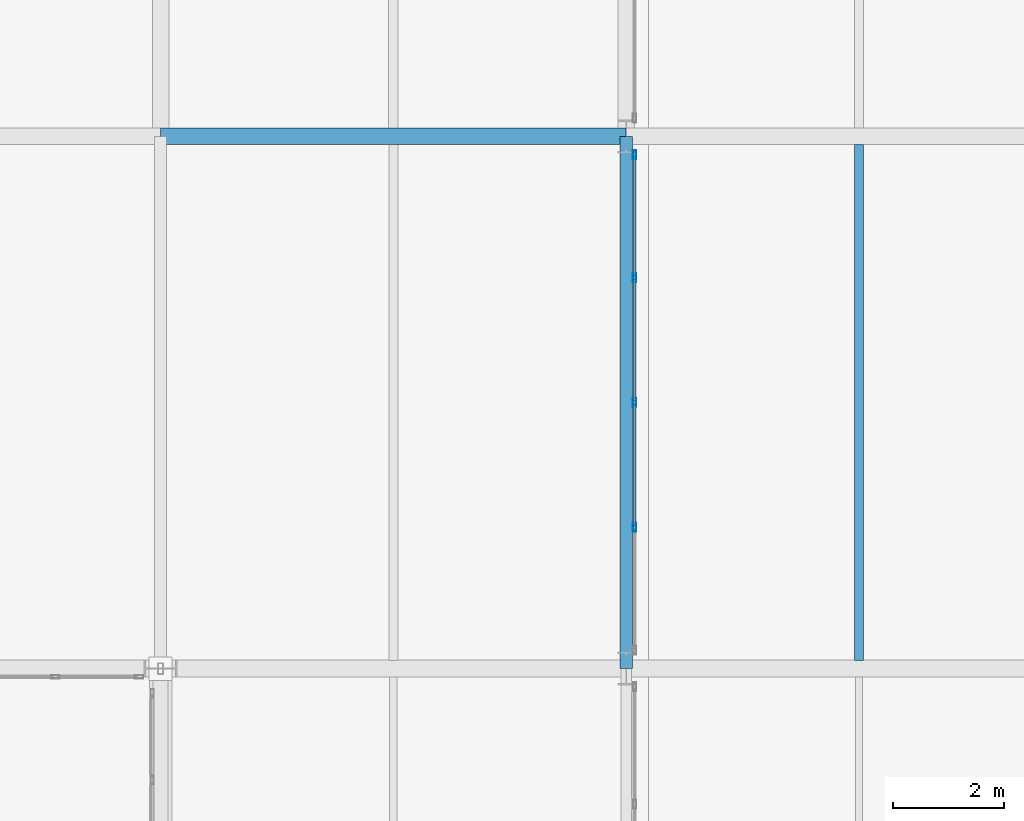
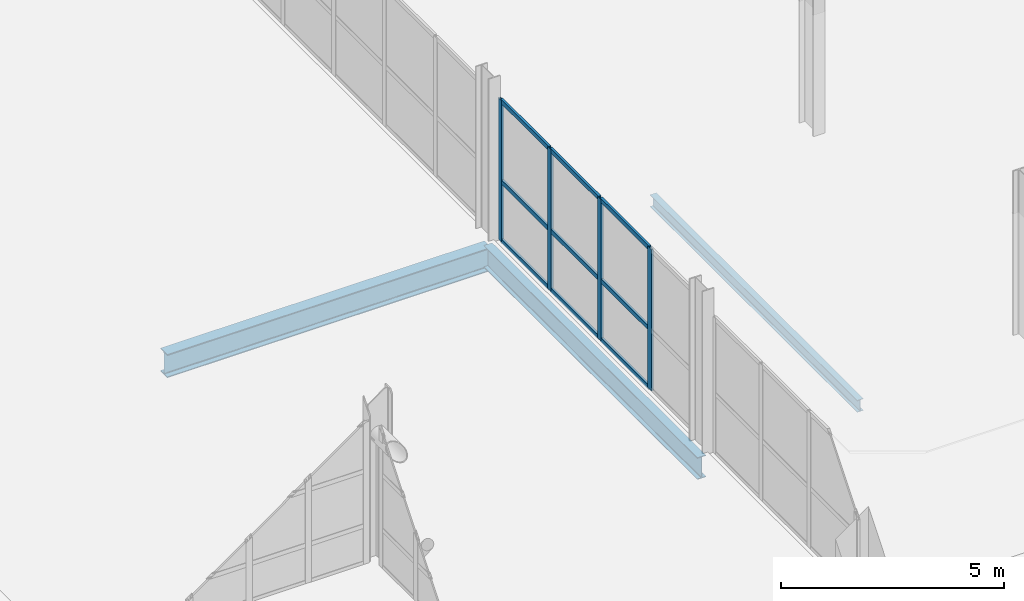
# One storey, part 38 of 130: 13 members, 3 beams, 1 element without a shape of its own.
"""IFC4 building model written with IfcOpenShell, lengths in metres."""

from ifc_helpers import new_model, si_unit, direction, frame, origin, origin_2d, place, context, subcontext, project, spatial, hollow_rectangle, i_section, extrude, material, material_profile, profile_set, type_object, element, aggregate, save


model = new_model("IFC4")

# Units and contexts
model_context = context("Model", 3, precision=1e-05, world=origin(), true_north=direction((0.0, 1.0)))
body_context = subcontext(model_context, "Body", "Model", "MODEL_VIEW")
ifc_project = project(units=[si_unit("LENGTHUNIT", "METRE"), si_unit("AREAUNIT", "SQUARE_METRE"), si_unit("VOLUMEUNIT", "CUBIC_METRE"), si_unit("PLANEANGLEUNIT", "RADIAN"), si_unit("MASSUNIT", "GRAM", prefix="KILO")], contexts=[model_context])

# Site, building, storey
site_placement = place(None, origin())
site = spatial("IfcSite", under=ifc_project, at=site_placement, CompositionType="ELEMENT")
building_placement = place(site_placement, origin())
building = spatial("IfcBuilding", under=site, at=building_placement, Name="Veltarok Museum of Natural Sciences", CompositionType="ELEMENT")
storey_placement = place(building_placement, frame((0.0, 0.0, 12.89990234375)))
storey = spatial("IfcBuildingStorey", under=building, at=storey_placement, Name="L02", CompositionType="ELEMENT", Elevation=12.89990234375)

# Curtain wall, members
ifc_material_1 = material(Name="Low-iron triple insulated glass", Category="glass")
curtain_wall_type = type_object("IfcCurtainWallType", Name="Curtain Wall System CW-V2W-L02-0-900x388 (CW-V2W L02 900x388cm)", PredefinedType="NOTDEFINED", material=ifc_material_1)
curtain_wall_placement = place(storey_placement, origin())
curtain_wall = element("IfcCurtainWall", 1, at=curtain_wall_placement, inside=storey, type_object=curtain_wall_type, Name="Curtain Wall CW-V2W-L02-0-900x388 CW-0140", PredefinedType="NOTDEFINED")
ifc_material_2 = material(Name="Thermally broken anodised aluminium", Category="aluminium")
ifc_material_profile_1 = material_profile(ifc_material_2, hollow_rectangle(XDim=0.06005859375, YDim=0.1201171875, WallThickness=0.0048828125, at=origin_2d()), Name="CW TRANSOM 60x120x5")
ifc_profile_set_1 = profile_set([ifc_material_profile_1], Name="Thermally broken anodised aluminium")
member_type_1 = type_object("IfcMemberType", Name="Curtain Wall Horizontal Transom 60x120x5", PredefinedType="USERDEFINED", material=ifc_profile_set_1)
member_1_placement = place(storey_placement, frame((40.14990234375, 28.97998046875, 0.028076171875), z_axis=(0.0, 1.0, 0.0), x_axis=(-1.0, 0.0, 0.0)))
member_1 = element("IfcMember", 2, at=member_1_placement, type_object=member_type_1, Name="CW-V2W-L02-0-900x388 transom 2.1", ObjectType="TRANSOM", PredefinedType="USERDEFINED", context=body_context, shape_type="SweptSolid", body=[
    extrude(hollow_rectangle(XDim=0.06005859375, YDim=0.1201171875, WallThickness=0.0048828125, at=origin_2d()), origin(), (0.0, 0.0, 1.0), 2.18994140625),
])
member_2_placement = place(storey_placement, frame((40.14990234375, 28.97998046875, 1.648193359375), z_axis=(0.0, 1.0, 0.0), x_axis=(-1.0, 0.0, 0.0)))
member_2 = element("IfcMember", 3, at=member_2_placement, type_object=member_type_1, Name="CW-V2W-L02-0-900x388 transom 2.2", ObjectType="TRANSOM", PredefinedType="USERDEFINED", context=body_context, shape_type="SweptSolid", body=[
    extrude(hollow_rectangle(XDim=0.06005859375, YDim=0.1201171875, WallThickness=0.0048828125, at=origin_2d()), origin(), (0.0, 0.0, 1.0), 2.18994140625),
])
member_3_placement = place(storey_placement, frame((40.14990234375, 28.97998046875, 3.85009765625), z_axis=(0.0, 1.0, 0.0), x_axis=(-1.0, 0.0, 0.0)))
member_3 = element("IfcMember", 4, at=member_3_placement, type_object=member_type_1, Name="CW-V2W-L02-0-900x388 transom 2.3", ObjectType="TRANSOM", PredefinedType="USERDEFINED", context=body_context, shape_type="SweptSolid", body=[
    extrude(hollow_rectangle(XDim=0.06005859375, YDim=0.1201171875, WallThickness=0.0048828125, at=origin_2d()), origin(), (0.0, 0.0, 1.0), 2.18994140625),
])
member_4_placement = place(storey_placement, frame((40.14990234375, 31.22998046875, 0.028076171875), z_axis=(0.0, 1.0, 0.0), x_axis=(-1.0, 0.0, 0.0)))
member_4 = element("IfcMember", 5, at=member_4_placement, type_object=member_type_1, Name="CW-V2W-L02-0-900x388 transom 3.1", ObjectType="TRANSOM", PredefinedType="USERDEFINED", context=body_context, shape_type="SweptSolid", body=[
    extrude(hollow_rectangle(XDim=0.06005859375, YDim=0.1201171875, WallThickness=0.0048828125, at=origin_2d()), origin(), (0.0, 0.0, 1.0), 2.18994140625),
])
member_5_placement = place(storey_placement, frame((40.14990234375, 31.22998046875, 1.648193359375), z_axis=(0.0, 1.0, 0.0), x_axis=(-1.0, 0.0, 0.0)))
member_5 = element("IfcMember", 6, at=member_5_placement, type_object=member_type_1, Name="CW-V2W-L02-0-900x388 transom 3.2", ObjectType="TRANSOM", PredefinedType="USERDEFINED", context=body_context, shape_type="SweptSolid", body=[
    extrude(hollow_rectangle(XDim=0.06005859375, YDim=0.1201171875, WallThickness=0.0048828125, at=origin_2d()), origin(), (0.0, 0.0, 1.0), 2.18994140625),
])
member_6_placement = place(storey_placement, frame((40.14990234375, 31.22998046875, 3.85009765625), z_axis=(0.0, 1.0, 0.0), x_axis=(-1.0, 0.0, 0.0)))
member_6 = element("IfcMember", 7, at=member_6_placement, type_object=member_type_1, Name="CW-V2W-L02-0-900x388 transom 3.3", ObjectType="TRANSOM", PredefinedType="USERDEFINED", context=body_context, shape_type="SweptSolid", body=[
    extrude(hollow_rectangle(XDim=0.06005859375, YDim=0.1201171875, WallThickness=0.0048828125, at=origin_2d()), origin(), (0.0, 0.0, 1.0), 2.18994140625),
])
member_7_placement = place(storey_placement, frame((40.14990234375, 33.47998046875, 0.028076171875), z_axis=(0.0, 1.0, 0.0), x_axis=(-1.0, 0.0, 0.0)))
member_7 = element("IfcMember", 8, at=member_7_placement, type_object=member_type_1, Name="CW-V2W-L02-0-900x388 transom 4.1", ObjectType="TRANSOM", PredefinedType="USERDEFINED", context=body_context, shape_type="SweptSolid", body=[
    extrude(hollow_rectangle(XDim=0.06005859375, YDim=0.1201171875, WallThickness=0.0048828125, at=origin_2d()), origin(), (0.0, 0.0, 1.0), 2.159912109375),
])
member_8_placement = place(storey_placement, frame((40.14990234375, 33.47998046875, 1.648193359375), z_axis=(0.0, 1.0, 0.0), x_axis=(-1.0, 0.0, 0.0)))
member_8 = element("IfcMember", 9, at=member_8_placement, type_object=member_type_1, Name="CW-V2W-L02-0-900x388 transom 4.2", ObjectType="TRANSOM", PredefinedType="USERDEFINED", context=body_context, shape_type="SweptSolid", body=[
    extrude(hollow_rectangle(XDim=0.06005859375, YDim=0.1201171875, WallThickness=0.0048828125, at=origin_2d()), origin(), (0.0, 0.0, 1.0), 2.159912109375),
])
member_9_placement = place(storey_placement, frame((40.14990234375, 33.47998046875, 3.85009765625), z_axis=(0.0, 1.0, 0.0), x_axis=(-1.0, 0.0, 0.0)))
member_9 = element("IfcMember", 10, at=member_9_placement, type_object=member_type_1, Name="CW-V2W-L02-0-900x388 transom 4.3", ObjectType="TRANSOM", PredefinedType="USERDEFINED", context=body_context, shape_type="SweptSolid", body=[
    extrude(hollow_rectangle(XDim=0.06005859375, YDim=0.1201171875, WallThickness=0.0048828125, at=origin_2d()), origin(), (0.0, 0.0, 1.0), 2.159912109375),
])
ifc_material_profile_2 = material_profile(ifc_material_2, hollow_rectangle(XDim=0.06005859375, YDim=0.159912109375, WallThickness=0.0048828125, at=origin_2d()), Name="CW MULLION 60x160x5")
ifc_profile_set_2 = profile_set([ifc_material_profile_2], Name="Thermally broken anodised aluminium")
member_type_2 = type_object("IfcMemberType", Name="Curtain Wall Vertical Mullion 60x160x5", PredefinedType="MULLION", material=ifc_profile_set_2)
member_10_placement = place(storey_placement, frame((40.14990234375, 28.949951171875, -0.001953125), z_axis=(0.0, 0.0, 1.0), x_axis=(-1.0, 0.0, 0.0)))
member_10 = element("IfcMember", 11, at=member_10_placement, type_object=member_type_2, Name="CW-V2W-L02-0-900x388 mullion 2", PredefinedType="MULLION", context=body_context, shape_type="SweptSolid", body=[
    extrude(hollow_rectangle(XDim=0.06005859375, YDim=0.159912109375, WallThickness=0.0048828125, at=origin_2d()), origin(), (0.0, 0.0, 1.0), 3.882080078125),
])
member_11_placement = place(storey_placement, frame((40.14990234375, 31.199951171875, -0.001953125), z_axis=(0.0, 0.0, 1.0), x_axis=(-1.0, 0.0, 0.0)))
member_11 = element("IfcMember", 12, at=member_11_placement, type_object=member_type_2, Name="CW-V2W-L02-0-900x388 mullion 3", PredefinedType="MULLION", context=body_context, shape_type="SweptSolid", body=[
    extrude(hollow_rectangle(XDim=0.06005859375, YDim=0.159912109375, WallThickness=0.0048828125, at=origin_2d()), origin(), (0.0, 0.0, 1.0), 3.882080078125),
])
member_12_placement = place(storey_placement, frame((40.14990234375, 33.449951171875, -0.001953125), z_axis=(0.0, 0.0, 1.0), x_axis=(-1.0, 0.0, 0.0)))
member_12 = element("IfcMember", 13, at=member_12_placement, type_object=member_type_2, Name="CW-V2W-L02-0-900x388 mullion 4", PredefinedType="MULLION", context=body_context, shape_type="SweptSolid", body=[
    extrude(hollow_rectangle(XDim=0.06005859375, YDim=0.159912109375, WallThickness=0.0048828125, at=origin_2d()), origin(), (0.0, 0.0, 1.0), 3.882080078125),
])
member_13_placement = place(storey_placement, frame((40.14990234375, 35.669921875, -0.001953125), z_axis=(0.0, 0.0, 1.0), x_axis=(-1.0, 0.0, 0.0)))
member_13 = element("IfcMember", 14, at=member_13_placement, type_object=member_type_2, Name="CW-V2W-L02-0-900x388 mullion 5", PredefinedType="MULLION", context=body_context, shape_type="SweptSolid", body=[
    extrude(hollow_rectangle(XDim=0.06005859375, YDim=0.159912109375, WallThickness=0.0048828125, at=origin_2d()), origin(), (0.0, 0.0, 1.0), 3.882080078125),
])
aggregate(curtain_wall, [member_10, member_11, member_12, member_13, member_1, member_2, member_3, member_4, member_5, member_6, member_7, member_8, member_9])

# Beams
ifc_material_3 = material(Name="Steel S355J2", Category="steel")
ifc_material_profile_3 = material_profile(ifc_material_3, i_section(OverallWidth=0.300048828125, OverallDepth=0.639892578125, WebThickness=0.013427734375, FlangeThickness=0.02587890625, FilletRadius=0.027099609375, at=origin_2d()), Name="HEA 650")
ifc_profile_set_3 = profile_set([ifc_material_profile_3], Name="Steel S355J2")
beam_type_1 = type_object("IfcBeamType", Name="Heavy Exhibition Girder HEA 650", PredefinedType="BEAM", material=ifc_profile_set_3)
beam_1_placement = place(storey_placement, frame((31.60009765625, 36.0, -0.56982421875), z_axis=(1.0, 0.0, 0.0), x_axis=(0.0, 1.0, 0.0)))
element("IfcBeam", 15, at=beam_1_placement, inside=storey, type_object=beam_type_1, Name="Beam BM-G08 L02 4-5/E", PredefinedType="BEAM", context=body_context, shape_type="SweptSolid", body=[
    extrude(i_section(OverallWidth=0.300048828125, OverallDepth=0.639892578125, WebThickness=0.013427734375, FlangeThickness=0.02587890625, FilletRadius=0.027099609375, at=origin_2d()), origin(), (0.0, 0.0, 1.0), 8.39990234375),
])
ifc_material_profile_4 = material_profile(ifc_material_3, i_section(OverallWidth=0.159912109375, OverallDepth=0.330078125, WebThickness=0.007568359375, FlangeThickness=0.011474609375, FilletRadius=0.01806640625, at=origin_2d()), Name="IPE 330")
ifc_profile_set_4 = profile_set([ifc_material_profile_4], Name="Steel S355J2")
beam_type_2 = type_object("IfcBeamType", Name="Medium-Bay Composite Joist IPE 330", PredefinedType="JOIST", material=ifc_profile_set_4)
beam_2_placement = place(storey_placement, frame((44.199951171875, 26.548095703125, -0.414794921875), z_axis=(0.0, 1.0, 0.0), x_axis=(-1.0, 0.0, 0.0)))
element("IfcBeam", 16, at=beam_2_placement, inside=storey, type_object=beam_type_2, Name="Secondary Joist BM-J02 L02 5-6/D-E.1", PredefinedType="JOIST", context=body_context, shape_type="SweptSolid", body=[
    extrude(i_section(OverallWidth=0.159912109375, OverallDepth=0.330078125, WebThickness=0.007568359375, FlangeThickness=0.011474609375, FilletRadius=0.01806640625, at=origin_2d()), origin(), (0.0, 0.0, 1.0), 9.303955078125),
])
ifc_material_profile_5 = material_profile(ifc_material_3, i_section(OverallWidth=0.219970703125, OverallDepth=0.60009765625, WebThickness=0.011962890625, FlangeThickness=0.01904296875, FilletRadius=0.02392578125, at=origin_2d()), Name="IPE 600")
ifc_profile_set_5 = profile_set([ifc_material_profile_5], Name="Steel S355J2")
beam_type_3 = type_object("IfcBeamType", Name="Primary Museum Girder IPE 600", PredefinedType="BEAM", material=ifc_profile_set_5)
beam_3_placement = place(storey_placement, frame((40.0, 26.39990234375, -0.5498046875), z_axis=(0.0, 1.0, 0.0), x_axis=(-1.0, 0.0, 0.0)))
element("IfcBeam", 17, at=beam_3_placement, inside=storey, type_object=beam_type_3, Name="Beam BM-G02 L02 5/D-E", PredefinedType="BEAM", context=body_context, shape_type="SweptSolid", body=[
    extrude(i_section(OverallWidth=0.219970703125, OverallDepth=0.60009765625, WebThickness=0.011962890625, FlangeThickness=0.01904296875, FilletRadius=0.02392578125, at=origin_2d()), origin(), (0.0, 0.0, 1.0), 9.60009765625),
])

save(model, "model.ifc")
